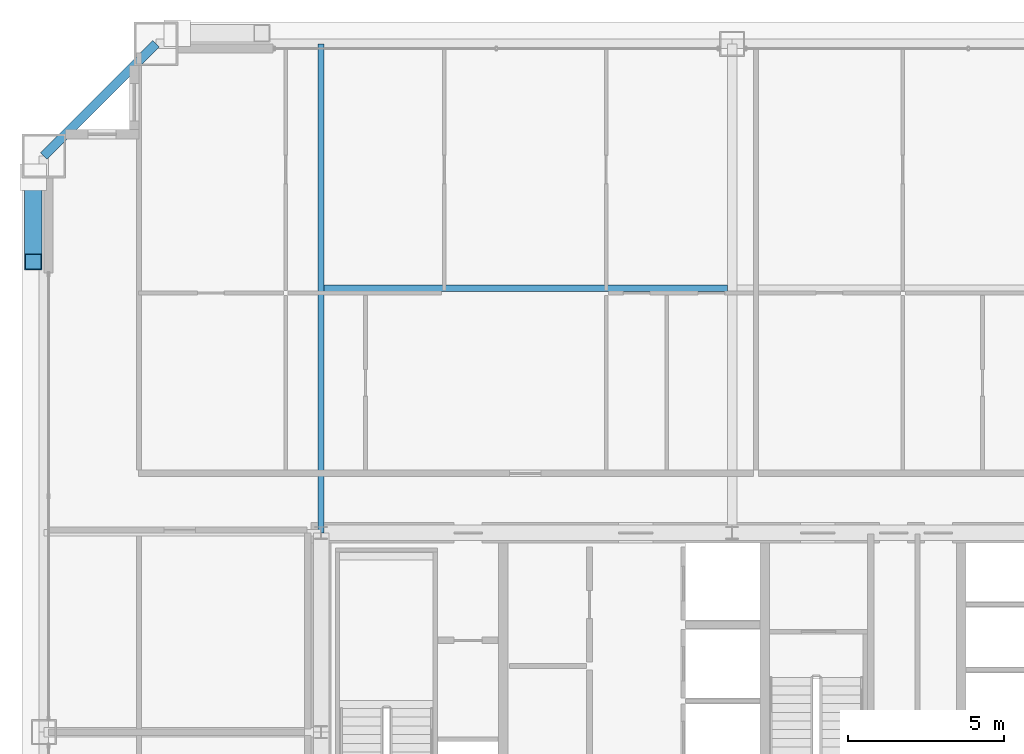
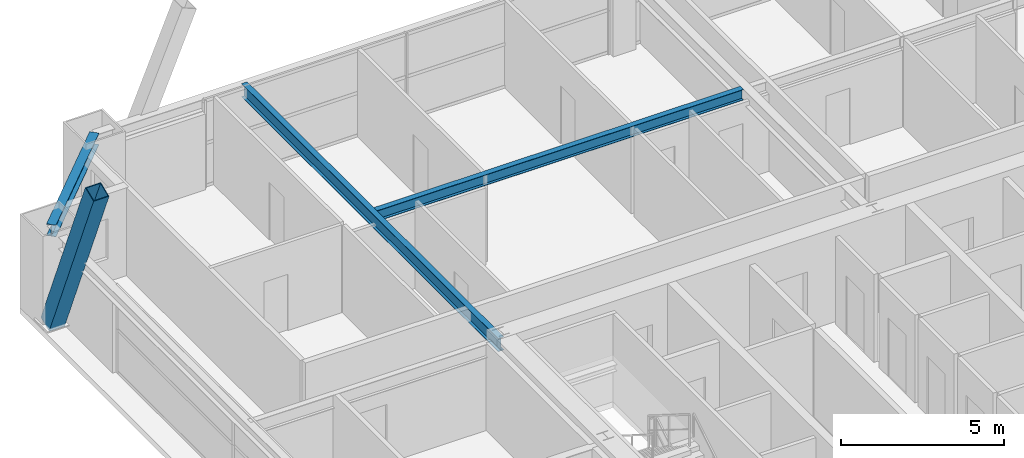
# One storey, part 31 of 45: 3 beams, 1 member.
"""IFC4 building model written with IfcOpenShell, lengths in metres."""

from ifc_helpers import new_model, si_unit, direction, frame, origin, origin_2d, place, context, subcontext, project, spatial, hollow_rectangle, i_section, extrude, source, transform, mapped, material, material_profile, profile_set, type_object, element, save


model = new_model("IFC4")

# Units and contexts
model_context = context("Model", 3, precision=1e-05, world=origin(), true_north=direction((0.0, 1.0)))
body_context = subcontext(model_context, "Body", "Model", "MODEL_VIEW")
ifc_project = project(units=[si_unit("LENGTHUNIT", "METRE"), si_unit("AREAUNIT", "SQUARE_METRE"), si_unit("VOLUMEUNIT", "CUBIC_METRE"), si_unit("PLANEANGLEUNIT", "RADIAN"), si_unit("MASSUNIT", "GRAM", prefix="KILO"), si_unit("THERMODYNAMICTEMPERATUREUNIT", "KELVIN"), si_unit("POWERUNIT", "WATT")], contexts=[model_context])

# Site, building, storey
site_placement = place(None, origin())
site = spatial("IfcSite", under=ifc_project, at=site_placement, CompositionType="ELEMENT")
building_placement = place(site_placement, origin())
building = spatial("IfcBuilding", under=site, at=building_placement, Name="Yuzanri Waterfront Tower", CompositionType="ELEMENT")
storey_placement = place(building_placement, frame((0.0, 0.0, 198.5)))
storey = spatial("IfcBuildingStorey", under=building, at=storey_placement, Name="L52", CompositionType="ELEMENT", Elevation=198.5)

# Beams
ifc_material_1 = material(Name="Steel Q355B", Category="steel")
ifc_material_profile_1 = material_profile(ifc_material_1, i_section(OverallWidth=0.199951171875, OverallDepth=0.39990234375, WebThickness=0.008056640625, FlangeThickness=0.012939453125, at=origin_2d()), Name="HN 400x200x8x13")
ifc_profile_set_1 = profile_set([ifc_material_profile_1], Name="Steel Q355B")
beam_type_1 = type_object("IfcBeamType", Name="Floor Joist Q355B HN 400x200", PredefinedType="JOIST", material=ifc_profile_set_1)
shared_shape_1 = source(origin(), body_context, "Body", "SweptSolid", [
    extrude(i_section(OverallWidth=0.199951171875, OverallDepth=0.39990234375, WebThickness=0.008056640625, FlangeThickness=0.012939453125, at=origin_2d()), origin(), (0.0, 0.0, 1.0), 12.9501953125),
])
beam_1_placement = place(storey_placement, frame((23.89990234375, 40.050048828125, 3.080078125), z_axis=(1.0, 0.0, 0.0), x_axis=(0.0, 1.0, 0.0)))
element("IfcBeam", 1, at=beam_1_placement, inside=storey, type_object=beam_type_1, Name="L52 North Bay Joist W", PredefinedType="JOIST", context=body_context, shape_type="MappedRepresentation", body=[
    mapped(shared_shape_1, transform((0.0, 0.0, 0.0), scale=1.0)),
])
ifc_material_2 = material(Name="Steel Q355B", Category="steel")
ifc_material_profile_2 = material_profile(ifc_material_2, i_section(OverallWidth=0.300048828125, OverallDepth=0.43994140625, WebThickness=0.010986328125, FlangeThickness=0.01806640625, at=origin_2d()), Name="HM 440x300x11x18")
ifc_profile_set_2 = profile_set([ifc_material_profile_2], Name="Steel Q355B")
beam_type_2 = type_object("IfcBeamType", Name="Perimeter Spandrel Q355B HM 440x300", PredefinedType="SPANDREL", material=ifc_profile_set_2)
shared_shape_2 = source(origin(), body_context, "Body", "SweptSolid", [
    extrude(i_section(OverallWidth=0.300048828125, OverallDepth=0.43994140625, WebThickness=0.010986328125, FlangeThickness=0.01806640625, at=origin_2d()), origin(), (0.0, 0.0, 1.0), 5.091064453125),
])
beam_2_placement = place(storey_placement, frame((18.5, 47.89990234375, 3.06005859375), z_axis=(-0.707130757816, -0.707082803744, 0.0), x_axis=(0.707082803744, -0.707130757816, 0.0)))
element("IfcBeam", 2, at=beam_2_placement, inside=storey, type_object=beam_type_2, Name="L52 Perimeter Spandrel N1-W3", PredefinedType="SPANDREL", context=body_context, shape_type="MappedRepresentation", body=[
    mapped(shared_shape_2, transform((0.0, 0.0, 0.0), scale=1.0)),
])
ifc_material_3 = material(Name="Steel Q355B", Category="steel")
ifc_material_profile_3 = material_profile(ifc_material_3, i_section(OverallWidth=0.199951171875, OverallDepth=0.5, WebThickness=0.010009765625, FlangeThickness=0.01611328125, at=origin_2d()), Name="HN 500x200x10x16")
ifc_profile_set_3 = profile_set([ifc_material_profile_3], Name="Steel Q355B")
beam_type_3 = type_object("IfcBeamType", Name="Secondary Floor Beam Q355B HN 500x200", PredefinedType="BEAM", material=ifc_profile_set_3)
shared_shape_3 = source(origin(), body_context, "Body", "SweptSolid", [
    extrude(i_section(OverallWidth=0.199951171875, OverallDepth=0.5, WebThickness=0.010009765625, FlangeThickness=0.01611328125, at=origin_2d()), origin(), (0.0, 0.0, 1.0), 15.699951171875),
])
beam_3_placement = place(storey_placement, frame((23.800048828125, 32.199951171875, 3.030029296875), z_axis=(0.0, 1.0, 0.0), x_axis=(-1.0, 0.0, 0.0)))
element("IfcBeam", 3, at=beam_3_placement, inside=storey, type_object=beam_type_3, Name="L52 North-West Core Line Beam", PredefinedType="BEAM", context=body_context, shape_type="MappedRepresentation", body=[
    mapped(shared_shape_3, transform((0.0, 0.0, 0.0), scale=1.0)),
])

# Member
ifc_material_4 = material(Name="Steel Q390GJC", Category="steel")
ifc_material_profile_4 = material_profile(ifc_material_4, hollow_rectangle(XDim=0.550048828125, YDim=0.550048828125, WallThickness=0.02490234375, at=origin_2d()), Name="RHS 550x550x25")
ifc_profile_set_4 = profile_set([ifc_material_profile_4], Name="Steel Q390GJC")
member_type = type_object("IfcMemberType", Name="Mega Brace Mid Q390GJC RHS 550x550x25", PredefinedType="BRACE", material=ifc_profile_set_4)
shared_shape_4 = source(origin(), body_context, "Body", "SweptSolid", [
    extrude(hollow_rectangle(XDim=0.550048828125, YDim=0.550048828125, WallThickness=0.02490234375, at=origin_2d()), origin(), (0.0, 0.0, 1.0), 7.046142578125),
])
member_placement = place(storey_placement, frame((14.56005859375, 43.6201171875, 0.179931640625), z_axis=(0.0, -0.386051696808, 0.922477147355), x_axis=(1.0, 0.0, 0.0)))
element("IfcMember", 4, at=member_placement, inside=storey, type_object=member_type, Name="L52-L53 Perimeter Mega-Brace W-R", PredefinedType="BRACE", context=body_context, shape_type="MappedRepresentation", body=[
    mapped(shared_shape_4, transform((0.0, 0.0, 0.0), scale=1.0)),
])

save(model, "model.ifc")
